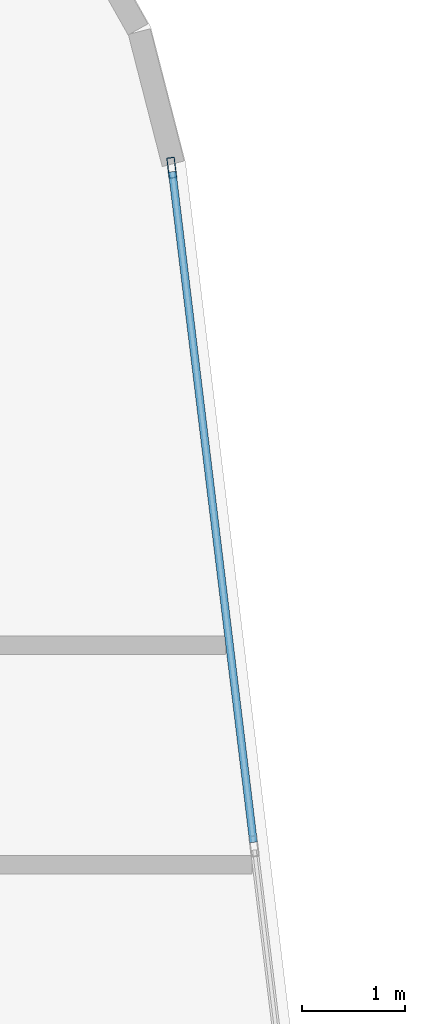
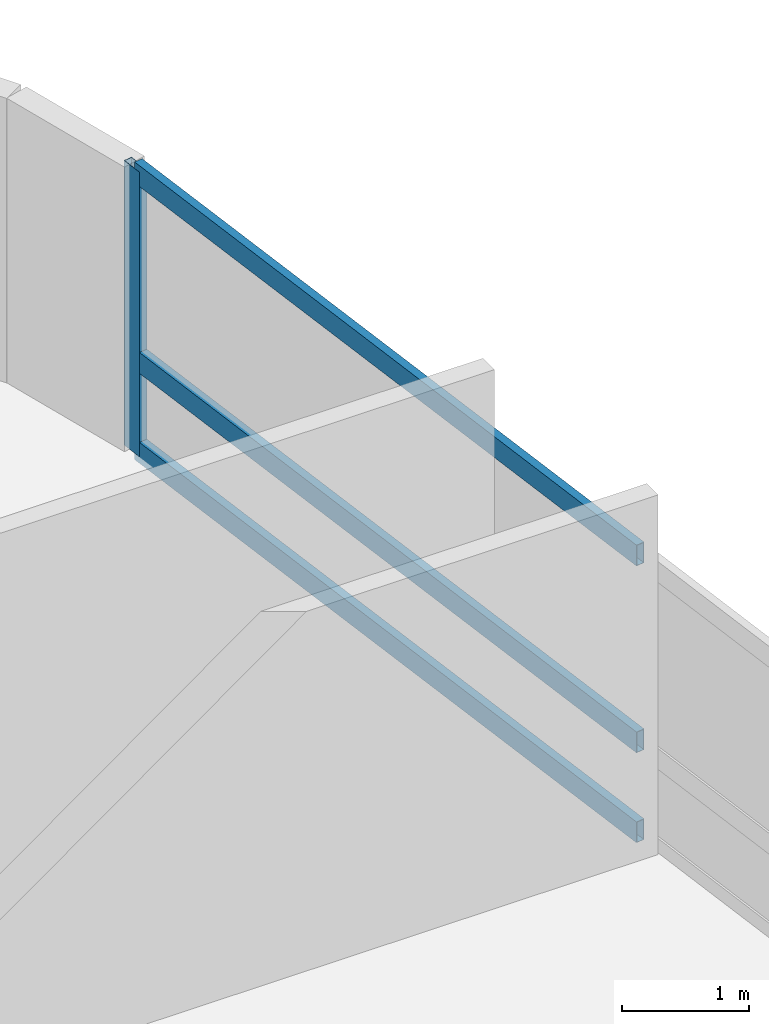
# One storey, part 12 of 23: 4 members, 1 element without a shape of its own.
"""IFC4 building model written with IfcOpenShell, lengths in metres."""

from ifc_helpers import new_model, si_unit, direction, frame, origin, origin_2d, place, context, subcontext, project, spatial, hollow_rectangle, extrude, material, layer, layer_set, material_profile, profile_set, type_object, element, aggregate, save


model = new_model("IFC4")

# Units and contexts
model_context = context("Model", 3, precision=1e-05, world=origin(), true_north=direction((0.0, 1.0)))
body_context = subcontext(model_context, "Body", "Model", "MODEL_VIEW")
ifc_project = project(units=[si_unit("LENGTHUNIT", "METRE"), si_unit("AREAUNIT", "SQUARE_METRE"), si_unit("VOLUMEUNIT", "CUBIC_METRE"), si_unit("PLANEANGLEUNIT", "RADIAN"), si_unit("MASSUNIT", "GRAM", prefix="KILO")], contexts=[model_context])

# Site, building, storey
site_placement = place(None, origin())
site = spatial("IfcSite", under=ifc_project, at=site_placement, CompositionType="ELEMENT")
building_placement = place(site_placement, origin())
building = spatial("IfcBuilding", under=site, at=building_placement, Name="Varnelok Gate Tower", CompositionType="ELEMENT")
storey_placement = place(building_placement, frame((0.0, 0.0, 174.60009765625)))
storey = spatial("IfcBuildingStorey", under=building, at=storey_placement, Name="L44", CompositionType="ELEMENT", Elevation=174.60009765625)

# Curtain wall, members
ifc_material = material(Name="Anodized Aluminum Alloy 6063-T6", Category="aluminium")
ifc_layer = layer(ifc_material, 0.179931640625)
ifc_layer_set = layer_set([ifc_layer], Name="Anodized Aluminum Alloy 6063-T6")
curtain_wall_type = type_object("IfcCurtainWallType", Name="CW4-RESIDENCE-VISION", PredefinedType="USERDEFINED", material=ifc_layer_set)
curtain_wall_placement = place(storey_placement, origin())
curtain_wall = element("IfcCurtainWall", 1, at=curtain_wall_placement, inside=storey, type_object=curtain_wall_type, Name="L44 East End Vision Curtain Wall", ObjectType="UNITISED CURTAIN WALL", PredefinedType="USERDEFINED")
ifc_material_profile_1 = material_profile(ifc_material, hollow_rectangle(XDim=0.074951171875, YDim=0.199951171875, WallThickness=0.00390625, at=origin_2d()), Name="ALU200X75X4")
ifc_profile_set_1 = profile_set([ifc_material_profile_1], Name="Anodized Aluminum Alloy 6063-T6")
member_type_1 = type_object("IfcMemberType", Name="CW-MULL-200", PredefinedType="MULLION", material=ifc_profile_set_1)
member_1_placement = place(storey_placement, frame((72.09912109375, 46.07275390625, 0.0), z_axis=(0.0, 0.0, 1.0), x_axis=(0.992732188751, 0.120344511371, 0.0)))
member_1 = element("IfcMember", 2, at=member_1_placement, type_object=member_type_1, Name="CW4 mullion 1", PredefinedType="MULLION", context=body_context, shape_type="SweptSolid", body=[
    extrude(hollow_rectangle(XDim=0.074951171875, YDim=0.199951171875, WallThickness=0.00390625, at=origin_2d()), origin(), (0.0, 0.0, 1.0), 2.72998046875),
])
ifc_material_profile_2 = material_profile(ifc_material, hollow_rectangle(XDim=0.074951171875, YDim=0.199951171875, WallThickness=0.00390625, at=origin_2d()), Name="ALU200X75X4")
ifc_profile_set_2 = profile_set([ifc_material_profile_2], Name="Anodized Aluminum Alloy 6063-T6")
member_type_2 = type_object("IfcMemberType", Name="CW-TRAN-200", PredefinedType="USERDEFINED", material=ifc_profile_set_2)
member_2_placement = place(storey_placement, frame((72.103759765625, 46.035400390625, 0.037353515625), z_axis=(0.120332477695, -0.992733647466, 0.0), x_axis=(0.992733647466, 0.120332477695, 0.0)))
member_2 = element("IfcMember", 3, at=member_2_placement, type_object=member_type_2, Name="CW4 transom 1.1", ObjectType="TRANSOM", PredefinedType="USERDEFINED", context=body_context, shape_type="SweptSolid", body=[
    extrude(hollow_rectangle(XDim=0.074951171875, YDim=0.199951171875, WallThickness=0.00390625, at=origin_2d()), origin(), (0.0, 0.0, 1.0), 6.5673828125),
])
member_3_placement = place(storey_placement, frame((72.103759765625, 46.035400390625, 0.89990234375), z_axis=(0.120332477695, -0.992733647466, 0.0), x_axis=(0.992733647466, 0.120332477695, 0.0)))
member_3 = element("IfcMember", 4, at=member_3_placement, type_object=member_type_2, Name="CW4 transom 1.2", ObjectType="TRANSOM", PredefinedType="USERDEFINED", context=body_context, shape_type="SweptSolid", body=[
    extrude(hollow_rectangle(XDim=0.074951171875, YDim=0.199951171875, WallThickness=0.00390625, at=origin_2d()), origin(), (0.0, 0.0, 1.0), 6.5673828125),
])
member_4_placement = place(storey_placement, frame((72.103759765625, 46.035400390625, 2.6923828125), z_axis=(0.120332477695, -0.992733647466, 0.0), x_axis=(0.992733647466, 0.120332477695, 0.0)))
member_4 = element("IfcMember", 5, at=member_4_placement, type_object=member_type_2, Name="CW4 transom 1.3", ObjectType="TRANSOM", PredefinedType="USERDEFINED", context=body_context, shape_type="SweptSolid", body=[
    extrude(hollow_rectangle(XDim=0.074951171875, YDim=0.199951171875, WallThickness=0.00390625, at=origin_2d()), origin(), (0.0, 0.0, 1.0), 6.5673828125),
])
aggregate(curtain_wall, [member_1, member_2, member_3, member_4])

save(model, "model.ifc")
